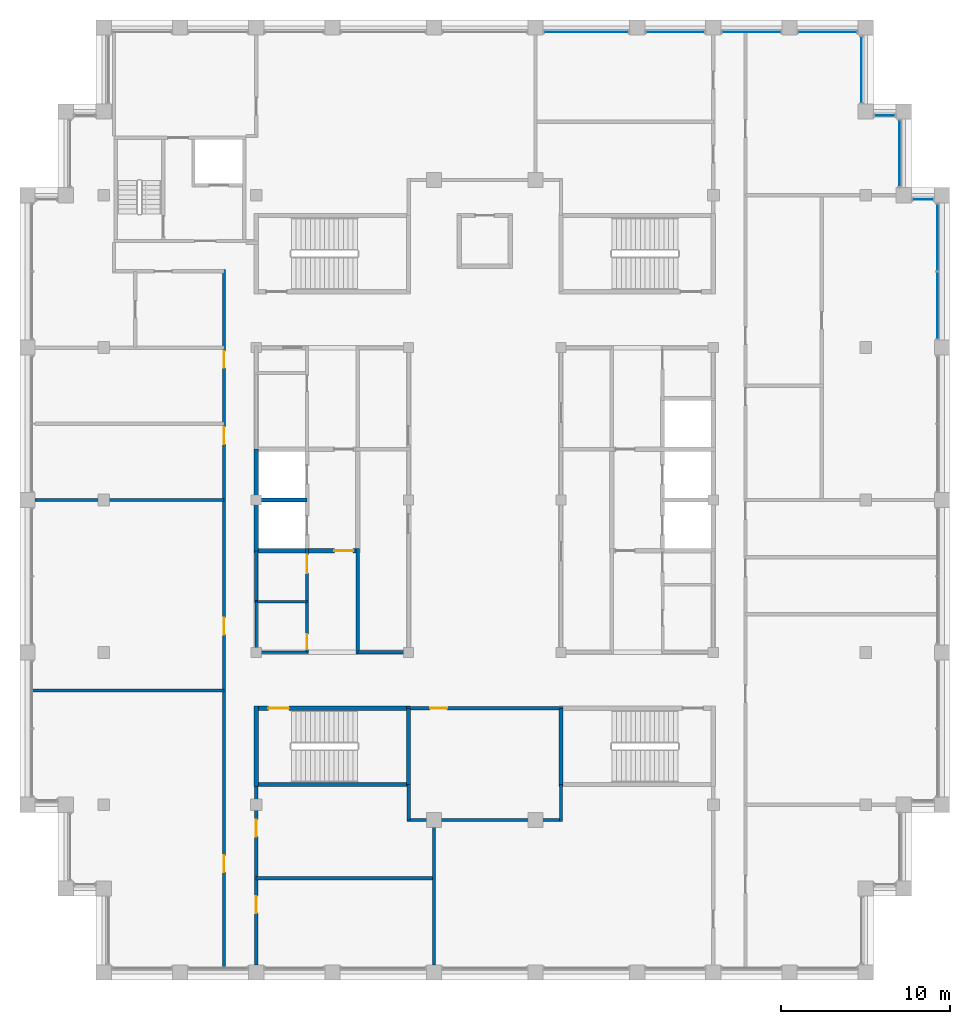
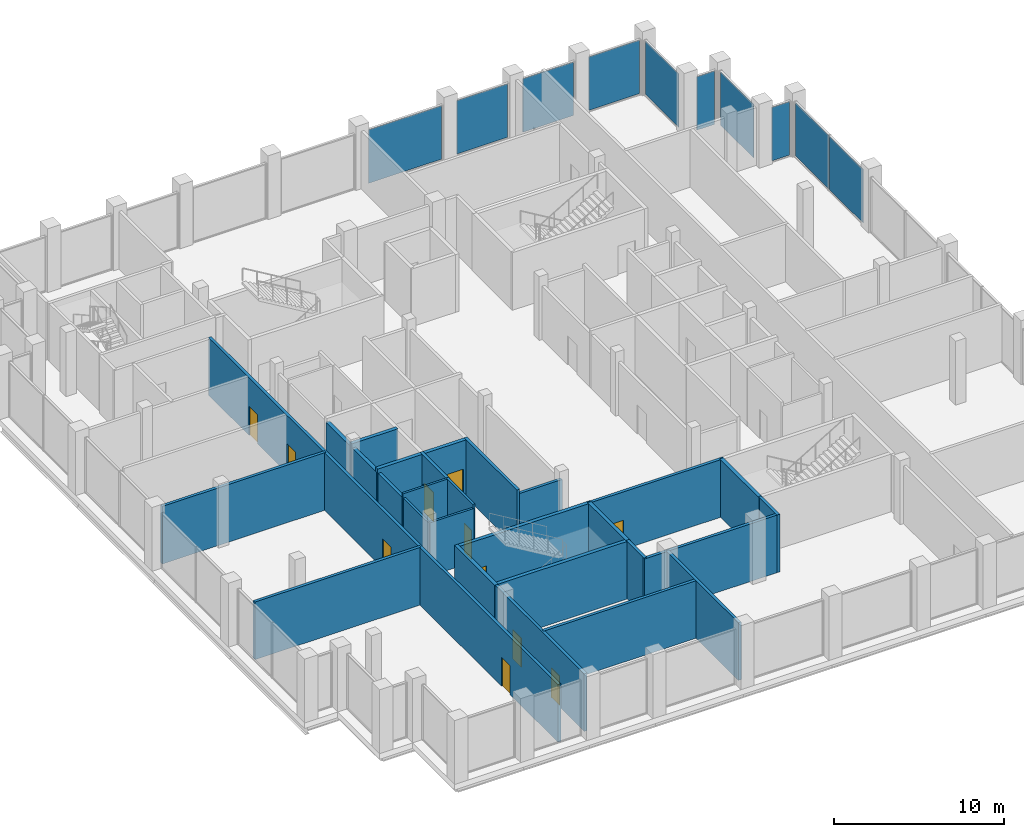
# One storey, part 8 of 13: 26 walls, 11 doors, 10 plates, 11 openings, 9 elements without a shape of their own.
"""IFC4 building model written with IfcOpenShell, lengths in metres."""

from ifc_helpers import new_model, si_unit, direction, frame, frame_2d, origin, origin_2d, place, context, subcontext, project, spatial, rectangle, extrude, material, layer, layer_set, type_object, element, fill, aggregate, save


model = new_model("IFC4")

# Units and contexts
model_context = context("Model", 3, precision=1e-05, world=origin(), true_north=direction((0.0, 1.0)))
body_context = subcontext(model_context, "Body", "Model", "MODEL_VIEW")
ifc_project = project(units=[si_unit("LENGTHUNIT", "METRE"), si_unit("AREAUNIT", "SQUARE_METRE"), si_unit("VOLUMEUNIT", "CUBIC_METRE"), si_unit("PLANEANGLEUNIT", "RADIAN"), si_unit("MASSUNIT", "GRAM", prefix="KILO")], contexts=[model_context])

# Site, building, storey
site_placement = place(None, origin())
site = spatial("IfcSite", under=ifc_project, at=site_placement, CompositionType="ELEMENT")
building_placement = place(site_placement, origin())
building = spatial("IfcBuilding", under=site, at=building_placement, Name="Corbelhall Arena Tower", CompositionType="ELEMENT")
storey_placement = place(building_placement, frame((0.0, 0.0, 361.0)))
storey = spatial("IfcBuildingStorey", under=building, at=storey_placement, Name="L79", CompositionType="ELEMENT", Elevation=361.0)

# Curtain wall, plates
ifc_material_1 = material(Name="Aluminium black anodised", Category="aluminium")
ifc_layer_1 = layer(ifc_material_1, 0.179931640625)
ifc_layer_set_1 = layer_set([ifc_layer_1], Name="EV-CW3 Crown glazing")
curtain_wall_type = type_object("IfcCurtainWallType", Name="EV-CW3 Crown glazing", PredefinedType="NOTDEFINED", material=ifc_layer_set_1)
curtain_wall_1_placement = place(storey_placement, origin())
curtain_wall_1 = element("IfcCurtainWall", 1, at=curtain_wall_1_placement, inside=storey, type_object=curtain_wall_type, Name="Curtain wall CW3", PredefinedType="NOTDEFINED")
ifc_material_2 = material(Name="Glass dark tinted laminated", Category="glass")
ifc_layer_2 = layer(ifc_material_2, 0.028076171875)
ifc_layer_set_2 = layer_set([ifc_layer_2], Name="EV-CW3-PANEL")
plate_type = type_object("IfcPlateType", Name="EV-CW3-PANEL", PredefinedType="CURTAIN_PANEL", material=ifc_layer_set_2)
plate_1_placement = place(storey_placement, frame((26.75, 11.49365234375, 0.074951171875), z_axis=(0.0, 0.0, 1.0), x_axis=(0.0, 1.0, 0.0)))
plate_1 = element("IfcPlate", 2, at=plate_1_placement, type_object=plate_type, Name="CW3 panel 1.1", PredefinedType="CURTAIN_PANEL", context=body_context, shape_type="SweptSolid", body=[
    extrude(rectangle(XDim=3.9375, YDim=0.028076171875, at=origin_2d()), origin(), (0.0, 0.0, 1.0), 3.849609375),
])
plate_2_placement = place(storey_placement, frame((26.75, 15.50634765625, 0.074951171875), z_axis=(0.0, 0.0, 1.0), x_axis=(0.0, 1.0, 0.0)))
plate_2 = element("IfcPlate", 3, at=plate_2_placement, type_object=plate_type, Name="CW3 panel 2.1", PredefinedType="CURTAIN_PANEL", context=body_context, shape_type="SweptSolid", body=[
    extrude(rectangle(XDim=3.9375, YDim=0.028076171875, at=origin_2d()), origin(), (0.0, 0.0, 1.0), 3.849609375),
])
aggregate(curtain_wall_1, [plate_1, plate_2])

# Curtain wall, plate
curtain_wall_2_placement = place(storey_placement, origin())
curtain_wall_2 = element("IfcCurtainWall", 4, at=curtain_wall_2_placement, inside=storey, type_object=curtain_wall_type, Name="Curtain wall CW3B", PredefinedType="NOTDEFINED")
plate_3_placement = place(storey_placement, frame((25.875, 17.75, 0.074951171875), z_axis=(0.0, 0.0, 1.0), x_axis=(-1.0, 0.0, 0.0)))
plate_3 = element("IfcPlate", 5, at=plate_3_placement, type_object=plate_type, Name="CW3B panel 1.1", PredefinedType="CURTAIN_PANEL", context=body_context, shape_type="SweptSolid", body=[
    extrude(rectangle(XDim=1.199951171875, YDim=0.028076171875, at=origin_2d()), origin(), (0.0, 0.0, 1.0), 3.849609375),
])
aggregate(curtain_wall_2, [plate_3])

curtain_wall_3_placement = place(storey_placement, origin())
curtain_wall_3 = element("IfcCurtainWall", 6, at=curtain_wall_3_placement, inside=storey, type_object=curtain_wall_type, Name="Curtain wall CW3", PredefinedType="NOTDEFINED")
plate_4_placement = place(storey_placement, frame((24.5, 20.47509765625, 0.074951171875), z_axis=(0.0, 0.0, 1.0), x_axis=(0.0, 1.0, 0.0)))
plate_4 = element("IfcPlate", 7, at=plate_4_placement, type_object=plate_type, Name="CW3 panel 1.1", PredefinedType="CURTAIN_PANEL", context=body_context, shape_type="SweptSolid", body=[
    extrude(rectangle(XDim=3.89990234375, YDim=0.028076171875, at=origin_2d()), origin(), (0.0, 0.0, 1.0), 3.849609375),
])
aggregate(curtain_wall_3, [plate_4])

curtain_wall_4_placement = place(storey_placement, origin())
curtain_wall_4 = element("IfcCurtainWall", 8, at=curtain_wall_4_placement, inside=storey, type_object=curtain_wall_type, Name="Curtain wall CW3B", PredefinedType="NOTDEFINED")
plate_5_placement = place(storey_placement, frame((23.625, 22.699951171875, 0.074951171875), z_axis=(0.0, 0.0, 1.0), x_axis=(-1.0, 0.0, 0.0)))
plate_5 = element("IfcPlate", 9, at=plate_5_placement, type_object=plate_type, Name="CW3B panel 1.1", PredefinedType="CURTAIN_PANEL", context=body_context, shape_type="SweptSolid", body=[
    extrude(rectangle(XDim=1.199951171875, YDim=0.028076171875, at=origin_2d()), origin(), (0.0, 0.0, 1.0), 3.849609375),
])
aggregate(curtain_wall_4, [plate_5])

curtain_wall_5_placement = place(storey_placement, origin())
curtain_wall_5 = element("IfcCurtainWall", 10, at=curtain_wall_5_placement, inside=storey, type_object=curtain_wall_type, Name="Curtain wall CW3", PredefinedType="NOTDEFINED")
plate_6_placement = place(storey_placement, frame((22.25, 25.425048828125, 0.074951171875), z_axis=(0.0, 0.0, 1.0), x_axis=(0.0, 1.0, 0.0)))
plate_6 = element("IfcPlate", 11, at=plate_6_placement, type_object=plate_type, Name="CW3 panel 1.1", PredefinedType="CURTAIN_PANEL", context=body_context, shape_type="SweptSolid", body=[
    extrude(rectangle(XDim=3.89990234375, YDim=0.028076171875, at=origin_2d()), origin(), (0.0, 0.0, 1.0), 3.849609375),
])
aggregate(curtain_wall_5, [plate_6])

curtain_wall_6_placement = place(storey_placement, origin())
curtain_wall_6 = element("IfcCurtainWall", 12, at=curtain_wall_6_placement, inside=storey, type_object=curtain_wall_type, Name="Curtain wall CW3A", PredefinedType="NOTDEFINED")
plate_7_placement = place(storey_placement, frame((20.25, 27.64990234375, 0.074951171875), z_axis=(0.0, 0.0, 1.0), x_axis=(-1.0, 0.0, 0.0)))
plate_7 = element("IfcPlate", 13, at=plate_7_placement, type_object=plate_type, Name="CW3A panel 1.1", PredefinedType="CURTAIN_PANEL", context=body_context, shape_type="SweptSolid", body=[
    extrude(rectangle(XDim=3.449951171875, YDim=0.028076171875, at=origin_2d()), origin(), (0.0, 0.0, 1.0), 3.849609375),
])
aggregate(curtain_wall_6, [plate_7])

curtain_wall_7_placement = place(storey_placement, origin())
curtain_wall_7 = element("IfcCurtainWall", 14, at=curtain_wall_7_placement, inside=storey, type_object=curtain_wall_type, Name="Curtain wall CW3A", PredefinedType="NOTDEFINED")
plate_8_placement = place(storey_placement, frame((15.75, 27.64990234375, 0.074951171875), z_axis=(0.0, 0.0, 1.0), x_axis=(-1.0, 0.0, 0.0)))
plate_8 = element("IfcPlate", 15, at=plate_8_placement, type_object=plate_type, Name="CW3A panel 1.1", PredefinedType="CURTAIN_PANEL", context=body_context, shape_type="SweptSolid", body=[
    extrude(rectangle(XDim=3.449951171875, YDim=0.028076171875, at=origin_2d()), origin(), (0.0, 0.0, 1.0), 3.849609375),
])
aggregate(curtain_wall_7, [plate_8])

curtain_wall_8_placement = place(storey_placement, origin())
curtain_wall_8 = element("IfcCurtainWall", 16, at=curtain_wall_8_placement, inside=storey, type_object=curtain_wall_type, Name="Curtain wall CW3A", PredefinedType="NOTDEFINED")
plate_9_placement = place(storey_placement, frame((11.25, 27.64990234375, 0.074951171875), z_axis=(0.0, 0.0, 1.0), x_axis=(-1.0, 0.0, 0.0)))
plate_9 = element("IfcPlate", 17, at=plate_9_placement, type_object=plate_type, Name="CW3A panel 1.1", PredefinedType="CURTAIN_PANEL", context=body_context, shape_type="SweptSolid", body=[
    extrude(rectangle(XDim=3.449951171875, YDim=0.028076171875, at=origin_2d()), origin(), (0.0, 0.0, 1.0), 3.849609375),
])
aggregate(curtain_wall_8, [plate_9])

curtain_wall_9_placement = place(storey_placement, origin())
curtain_wall_9 = element("IfcCurtainWall", 18, at=curtain_wall_9_placement, inside=storey, type_object=curtain_wall_type, Name="Curtain wall CW3C", PredefinedType="NOTDEFINED")
plate_10_placement = place(storey_placement, frame((6.0, 27.64990234375, 0.074951171875), z_axis=(0.0, 0.0, 1.0), x_axis=(-1.0, 0.0, 0.0)))
plate_10 = element("IfcPlate", 19, at=plate_10_placement, type_object=plate_type, Name="CW3C panel 1.1", PredefinedType="CURTAIN_PANEL", context=body_context, shape_type="SweptSolid", body=[
    extrude(rectangle(XDim=4.949951171875, YDim=0.028076171875, at=origin_2d()), origin(), (0.0, 0.0, 1.0), 3.849609375),
])
aggregate(curtain_wall_9, [plate_10])

# Wall
ifc_material_3 = material(Name="Gypsum board on steel stud, acoustic", Category="steel")
ifc_layer_3 = layer(ifc_material_3, 0.199951171875)
ifc_layer_set_3 = layer_set([ifc_layer_3], Name="IN-W-DM200")
wall_type_1 = type_object("IfcWallType", Name="IN-W-DM200", PredefinedType="PARTITIONING", material=ifc_layer_set_3)
wall_1_placement = place(storey_placement, frame((-26.736083984375, -11.25, 0.0), z_axis=(0.0, 0.0, 1.0), x_axis=(1.0, 0.0, 0.0)))
element("IfcWall", 20, at=wall_1_placement, inside=storey, type_object=wall_type_1, Name="Partition 001", PredefinedType="PARTITIONING", context=body_context, shape_type="SweptSolid", body=[
    extrude(rectangle(XDim=11.336181640625, YDim=0.199951171875, at=frame_2d((5.66796875, 0.0))), origin(), (0.0, 0.0, 1.0), 4.149658203125),
])

# Wall, openings, doors
wall_2_placement = place(storey_placement, frame((-15.39990234375, -27.635986328125, 0.0), z_axis=(0.0, 0.0, 1.0), x_axis=(0.0, 1.0, 0.0)))
wall_2 = element("IfcWall", 21, at=wall_2_placement, inside=storey, type_object=wall_type_1, Name="Partition 008", PredefinedType="PARTITIONING", context=body_context, shape_type="SweptSolid", body=[
    extrude(rectangle(XDim=41.236083984375, YDim=0.199951171875, at=frame_2d((20.6181640625, 0.0))), origin(), (0.0, 0.0, 1.0), 4.149658203125),
])
opening_1_placement = place(wall_2_placement, frame((30.93603515625, 0.0, 0.0)))
opening_1 = element("IfcOpeningElement", 22, at=opening_1_placement, cuts=wall_2, Name="Opening 33027", PredefinedType="OPENING", context=body_context, shape_type="SweptSolid", body=[
    extrude(rectangle(XDim=1.0, YDim=2.10009765625, at=frame_2d((0.5, 1.050048828125))), frame((0.0, 0.10009765625, 0.0), z_axis=(0.0, -1.0, 0.0), x_axis=(1.0, 0.0, 0.0)), (0.0, 0.0, 1.0), 0.199951171875),
])
opening_2_placement = place(wall_2_placement, frame((35.43603515625, 0.0, 0.0)))
opening_2 = element("IfcOpeningElement", 23, at=opening_2_placement, cuts=wall_2, Name="Opening 33028", PredefinedType="OPENING", context=body_context, shape_type="SweptSolid", body=[
    extrude(rectangle(XDim=1.0, YDim=2.10009765625, at=frame_2d((0.5, 1.050048828125))), frame((0.0, 0.10009765625, 0.0), z_axis=(0.0, -1.0, 0.0), x_axis=(1.0, 0.0, 0.0)), (0.0, 0.0, 1.0), 0.199951171875),
])
opening_3_placement = place(wall_2_placement, frame((5.64990234375, 0.0, 0.0)))
opening_3 = element("IfcOpeningElement", 24, at=opening_3_placement, cuts=wall_2, Name="Opening 33031", PredefinedType="OPENING", context=body_context, shape_type="SweptSolid", body=[
    extrude(rectangle(XDim=1.0, YDim=2.10009765625, at=frame_2d((0.5, 1.050048828125))), frame((0.0, 0.10009765625, 0.0), z_axis=(0.0, -1.0, 0.0), x_axis=(1.0, 0.0, 0.0)), (0.0, 0.0, 1.0), 0.199951171875),
])
opening_4_placement = place(wall_2_placement, frame((19.68603515625, 0.0, 0.0)))
opening_4 = element("IfcOpeningElement", 25, at=opening_4_placement, cuts=wall_2, Name="Opening 33032", PredefinedType="OPENING", context=body_context, shape_type="SweptSolid", body=[
    extrude(rectangle(XDim=1.0, YDim=2.10009765625, at=frame_2d((0.5, 1.050048828125))), frame((0.0, 0.10009765625, 0.0), z_axis=(0.0, -1.0, 0.0), x_axis=(1.0, 0.0, 0.0)), (0.0, 0.0, 1.0), 0.199951171875),
])
ifc_material_4 = material(Name="Steel door set", Category="steel")
door_type_1 = type_object("IfcDoorType", Name="IN-D-SW100", OperationType="NOTDEFINED", PredefinedType="DOOR", material=ifc_material_4)
door_1_placement = place(opening_1_placement, origin())
door_1 = element("IfcDoor", 26, at=door_1_placement, inside=storey, type_object=door_type_1, Name="Door 027", OperationType="SINGLE_SWING_RIGHT", OverallHeight=2.10009765625, OverallWidth=1.0, PredefinedType="DOOR", context=body_context, shape_type="SweptSolid", body=[
    extrude(rectangle(XDim=1.0, YDim=2.10009765625, at=frame_2d((0.5, 1.050048828125))), frame((0.0, 0.02490234375, 0.0), z_axis=(0.0, -1.0, 0.0), x_axis=(1.0, 0.0, 0.0)), (0.0, 0.0, 1.0), 0.050048828125),
])
fill(opening_1, door_1)
door_2_placement = place(opening_2_placement, origin())
door_2 = element("IfcDoor", 27, at=door_2_placement, inside=storey, type_object=door_type_1, Name="Door 028", OperationType="SINGLE_SWING_LEFT", OverallHeight=2.10009765625, OverallWidth=1.0, PredefinedType="DOOR", context=body_context, shape_type="SweptSolid", body=[
    extrude(rectangle(XDim=1.0, YDim=2.10009765625, at=frame_2d((0.5, 1.050048828125))), frame((0.0, 0.02490234375, 0.0), z_axis=(0.0, -1.0, 0.0), x_axis=(1.0, 0.0, 0.0)), (0.0, 0.0, 1.0), 0.050048828125),
])
fill(opening_2, door_2)
door_3_placement = place(opening_3_placement, origin())
door_3 = element("IfcDoor", 28, at=door_3_placement, inside=storey, type_object=door_type_1, Name="Door 031", OperationType="SINGLE_SWING_RIGHT", OverallHeight=2.10009765625, OverallWidth=1.0, PredefinedType="DOOR", context=body_context, shape_type="SweptSolid", body=[
    extrude(rectangle(XDim=1.0, YDim=2.10009765625, at=frame_2d((0.5, 1.050048828125))), frame((0.0, 0.02490234375, 0.0), z_axis=(0.0, -1.0, 0.0), x_axis=(1.0, 0.0, 0.0)), (0.0, 0.0, 1.0), 0.050048828125),
])
fill(opening_3, door_3)
door_4_placement = place(opening_4_placement, origin())
door_4 = element("IfcDoor", 29, at=door_4_placement, inside=storey, type_object=door_type_1, Name="Door 032", OperationType="SINGLE_SWING_LEFT", OverallHeight=2.10009765625, OverallWidth=1.0, PredefinedType="DOOR", context=body_context, shape_type="SweptSolid", body=[
    extrude(rectangle(XDim=1.0, YDim=2.10009765625, at=frame_2d((0.5, 1.050048828125))), frame((0.0, 0.02490234375, 0.0), z_axis=(0.0, -1.0, 0.0), x_axis=(1.0, 0.0, 0.0)), (0.0, 0.0, 1.0), 0.050048828125),
])
fill(opening_4, door_4)

# Walls
wall_3_placement = place(storey_placement, frame((-15.39990234375, 0.0, 0.0), z_axis=(0.0, 0.0, 1.0), x_axis=(-1.0, 0.0, 0.0)))
element("IfcWall", 30, at=wall_3_placement, inside=storey, type_object=wall_type_1, Name="Partition 009", PredefinedType="PARTITIONING", context=body_context, shape_type="SweptSolid", body=[
    extrude(rectangle(XDim=11.150146484375, YDim=0.199951171875, at=frame_2d((5.5751953125, 0.0))), origin(), (0.0, 0.0, 1.0), 4.149658203125),
])
wall_4_placement = place(storey_placement, frame((-13.5, -22.35009765625, 0.0), z_axis=(0.0, 0.0, 1.0), x_axis=(1.0, 0.0, 0.0)))
element("IfcWall", 31, at=wall_4_placement, inside=storey, type_object=wall_type_1, Name="Partition 011", PredefinedType="PARTITIONING", context=body_context, shape_type="SweptSolid", body=[
    extrude(rectangle(XDim=10.60009765625, YDim=0.199951171875, at=frame_2d((5.300048828125, 0.0))), origin(), (0.0, 0.0, 1.0), 4.149658203125),
])

# Wall, openings, doors
wall_5_placement = place(storey_placement, frame((-13.5, -16.675048828125, 0.0), z_axis=(0.0, 0.0, 1.0), x_axis=(0.0, -1.0, 0.0)))
wall_5 = element("IfcWall", 32, at=wall_5_placement, inside=storey, type_object=wall_type_1, Name="Partition 012", PredefinedType="PARTITIONING", context=body_context, shape_type="SweptSolid", body=[
    extrude(rectangle(XDim=10.77490234375, YDim=0.199951171875, at=frame_2d((5.387451171875, 0.0))), origin(), (0.0, 0.0, 1.0), 4.149658203125),
])
opening_5_placement = place(wall_5_placement, frame((6.72509765625, 0.0, 0.0)))
opening_5 = element("IfcOpeningElement", 33, at=opening_5_placement, cuts=wall_5, Name="Opening 33024", PredefinedType="OPENING", context=body_context, shape_type="SweptSolid", body=[
    extrude(rectangle(XDim=1.0, YDim=2.10009765625, at=frame_2d((0.5, 1.050048828125))), frame((0.0, 0.10009765625, 0.0), z_axis=(0.0, -1.0, 0.0), x_axis=(1.0, 0.0, 0.0)), (0.0, 0.0, 1.0), 0.199951171875),
])
opening_6_placement = place(wall_5_placement, frame((2.199951171875, 0.0, 0.0)))
opening_6 = element("IfcOpeningElement", 34, at=opening_6_placement, cuts=wall_5, Name="Opening 33025", PredefinedType="OPENING", context=body_context, shape_type="SweptSolid", body=[
    extrude(rectangle(XDim=1.0, YDim=2.10009765625, at=frame_2d((0.5, 1.050048828125))), frame((0.0, 0.10009765625, 0.0), z_axis=(0.0, -1.0, 0.0), x_axis=(1.0, 0.0, 0.0)), (0.0, 0.0, 1.0), 0.199951171875),
])
door_5_placement = place(opening_5_placement, origin())
door_5 = element("IfcDoor", 35, at=door_5_placement, inside=storey, type_object=door_type_1, Name="Door 024", OperationType="SINGLE_SWING_LEFT", OverallHeight=2.10009765625, OverallWidth=1.0, PredefinedType="DOOR", context=body_context, shape_type="SweptSolid", body=[
    extrude(rectangle(XDim=1.0, YDim=2.10009765625, at=frame_2d((0.5, 1.050048828125))), frame((0.0, 0.02490234375, 0.0), z_axis=(0.0, -1.0, 0.0), x_axis=(1.0, 0.0, 0.0)), (0.0, 0.0, 1.0), 0.050048828125),
])
fill(opening_5, door_5)
door_6_placement = place(opening_6_placement, origin())
door_6 = element("IfcDoor", 36, at=door_6_placement, inside=storey, type_object=door_type_1, Name="Door 025", OperationType="SINGLE_SWING_RIGHT", OverallHeight=2.10009765625, OverallWidth=1.0, PredefinedType="DOOR", context=body_context, shape_type="SweptSolid", body=[
    extrude(rectangle(XDim=1.0, YDim=2.10009765625, at=frame_2d((0.5, 1.050048828125))), frame((0.0, 0.02490234375, 0.0), z_axis=(0.0, -1.0, 0.0), x_axis=(1.0, 0.0, 0.0)), (0.0, 0.0, 1.0), 0.050048828125),
])
fill(opening_6, door_6)

# Walls
wall_6_placement = place(storey_placement, frame((-4.5, -18.89990234375, 0.0), z_axis=(0.0, 0.0, 1.0), x_axis=(0.0, 1.0, 0.0)))
element("IfcWall", 37, at=wall_6_placement, inside=storey, type_object=wall_type_1, Name="Partition 015", PredefinedType="PARTITIONING", context=body_context, shape_type="SweptSolid", body=[
    extrude(rectangle(XDim=2.099853515625, YDim=0.199951171875, at=frame_2d((1.0498046875, 0.0))), origin(), (0.0, 0.0, 1.0), 4.149658203125),
])
wall_7_placement = place(storey_placement, frame((-3.0, -18.89990234375, 0.0), z_axis=(0.0, 0.0, 1.0), x_axis=(0.0, -1.0, 0.0)))
element("IfcWall", 38, at=wall_7_placement, inside=storey, type_object=wall_type_1, Name="Partition 018", PredefinedType="PARTITIONING", context=body_context, shape_type="SweptSolid", body=[
    extrude(rectangle(XDim=8.550048828125, YDim=0.199951171875, at=frame_2d((4.27490234375, 0.0))), origin(), (0.0, 0.0, 1.0), 4.149658203125),
])
wall_8_placement = place(storey_placement, frame((4.5, -18.89990234375, 0.0), z_axis=(0.0, 0.0, 1.0), x_axis=(-1.0, 0.0, 0.0)))
element("IfcWall", 39, at=wall_8_placement, inside=storey, type_object=wall_type_1, Name="Partition 019", PredefinedType="PARTITIONING", context=body_context, shape_type="SweptSolid", body=[
    extrude(rectangle(XDim=9.10009765625, YDim=0.199951171875, at=frame_2d((4.550048828125, 0.0))), origin(), (0.0, 0.0, 1.0), 4.149658203125),
])
wall_9_placement = place(storey_placement, frame((4.5, -16.800048828125, 0.0), z_axis=(0.0, 0.0, 1.0), x_axis=(0.0, -1.0, 0.0)))
element("IfcWall", 40, at=wall_9_placement, inside=storey, type_object=wall_type_1, Name="Partition 022", PredefinedType="PARTITIONING", context=body_context, shape_type="SweptSolid", body=[
    extrude(rectangle(XDim=2.199951171875, YDim=0.199951171875, at=frame_2d((1.10009765625, 0.0))), origin(), (0.0, 0.0, 1.0), 4.149658203125),
])

# Wall, opening, door
wall_10_placement = place(storey_placement, frame((4.625, -12.300048828125, 0.0), z_axis=(0.0, 0.0, 1.0), x_axis=(-1.0, 0.0, 0.0)))
wall_10 = element("IfcWall", 41, at=wall_10_placement, inside=storey, type_object=wall_type_1, Name="Partition 024", PredefinedType="PARTITIONING", context=body_context, shape_type="SweptSolid", body=[
    extrude(rectangle(XDim=9.25, YDim=0.199951171875, at=frame_2d((4.625, 0.0))), origin(), (0.0, 0.0, 1.0), 4.149658203125),
])
opening_7_placement = place(wall_10_placement, frame((6.85009765625, 0.0, 0.0)))
opening_7 = element("IfcOpeningElement", 42, at=opening_7_placement, cuts=wall_10, Name="Opening 33020", PredefinedType="OPENING", context=body_context, shape_type="SweptSolid", body=[
    extrude(rectangle(XDim=1.0, YDim=2.10009765625, at=frame_2d((0.5, 1.050048828125))), frame((0.0, 0.10009765625, 0.0), z_axis=(0.0, -1.0, 0.0), x_axis=(1.0, 0.0, 0.0)), (0.0, 0.0, 1.0), 0.199951171875),
])
door_7_placement = place(opening_7_placement, origin())
door_7 = element("IfcDoor", 43, at=door_7_placement, inside=storey, type_object=door_type_1, Name="Door 020", OperationType="SINGLE_SWING_LEFT", OverallHeight=2.10009765625, OverallWidth=1.0, PredefinedType="DOOR", context=body_context, shape_type="SweptSolid", body=[
    extrude(rectangle(XDim=1.0, YDim=2.10009765625, at=frame_2d((0.5, 1.050048828125))), frame((0.0, 0.02490234375, 0.0), z_axis=(0.0, -1.0, 0.0), x_axis=(1.0, 0.0, 0.0)), (0.0, 0.0, 1.0), 0.050048828125),
])
fill(opening_7, door_7)

ifc_material_5 = material(Name="Concrete block wall", Category="concrete")
ifc_layer_4 = layer(ifc_material_5, 0.199951171875)
ifc_layer_set_4 = layer_set([ifc_layer_4], Name="IN-W-RS200")
wall_type_2 = type_object("IfcWallType", Name="IN-W-RS200", PredefinedType="SOLIDWALL", material=ifc_layer_set_4)
wall_11_placement = place(storey_placement, frame((-10.5, -6.074951171875, 0.0), z_axis=(0.0, 0.0, 1.0), x_axis=(0.0, 1.0, 0.0)))
wall_11 = element("IfcWall", 44, at=wall_11_placement, inside=storey, type_object=wall_type_2, Name="Partition 038", PredefinedType="SOLIDWALL", context=body_context, shape_type="SweptSolid", body=[
    extrude(rectangle(XDim=3.199951171875, YDim=0.199951171875, at=frame_2d((1.60009765625, 0.0))), origin(), (0.0, 0.0, 1.0), 4.149658203125),
])
opening_8_placement = place(wall_11_placement, frame((1.75, 0.0, 0.0)))
opening_8 = element("IfcOpeningElement", 45, at=opening_8_placement, cuts=wall_11, Name="Opening 33006", PredefinedType="OPENING", context=body_context, shape_type="SweptSolid", body=[
    extrude(rectangle(XDim=1.10009765625, YDim=2.10009765625, at=frame_2d((0.550048828125, 1.050048828125))), frame((0.0, 0.10009765625, 0.0), z_axis=(0.0, -1.0, 0.0), x_axis=(1.0, 0.0, 0.0)), (0.0, 0.0, 1.0), 0.199951171875),
])
door_type_2 = type_object("IfcDoorType", Name="IN-D-FD110", OperationType="NOTDEFINED", PredefinedType="DOOR", material=ifc_material_4)
door_8_placement = place(opening_8_placement, origin())
door_8 = element("IfcDoor", 46, at=door_8_placement, inside=storey, type_object=door_type_2, Name="Door 006", OperationType="SINGLE_SWING_LEFT", OverallHeight=2.10009765625, OverallWidth=1.10009765625, PredefinedType="DOOR", context=body_context, shape_type="SweptSolid", body=[
    extrude(rectangle(XDim=1.10009765625, YDim=2.10009765625, at=frame_2d((0.550048828125, 1.050048828125))), frame((0.0, 0.02490234375, 0.0), z_axis=(0.0, -1.0, 0.0), x_axis=(1.0, 0.0, 0.0)), (0.0, 0.0, 1.0), 0.050048828125),
])
fill(opening_8, door_8)

# Walls
wall_12_placement = place(storey_placement, frame((-7.5, -9.10009765625, 0.0), z_axis=(0.0, 0.0, 1.0), x_axis=(0.0, 1.0, 0.0)))
element("IfcWall", 47, at=wall_12_placement, inside=storey, type_object=wall_type_2, Name="Partition 041", PredefinedType="SOLIDWALL", context=body_context, shape_type="SweptSolid", body=[
    extrude(rectangle(XDim=6.22509765625, YDim=0.199951171875, at=frame_2d((3.112548828125, 0.0))), origin(), (0.0, 0.0, 1.0), 4.149658203125),
])
ifc_layer_5 = layer(ifc_material_5, 0.199951171875)
ifc_layer_set_5 = layer_set([ifc_layer_5], Name="IN-W-RS200 under beam 312 mm")
wall_type_3 = type_object("IfcWallType", Name="IN-W-RS200 under beam 312 mm", PredefinedType="SOLIDWALL", material=ifc_layer_set_5)
for number, where, z_axis, x_axis, name in (
    (48, (-13.5, -6.0, 0.0), (0.0, 0.0, 1.0), (0.0, 1.0, 0.0), "Partition 035"),
    (49, (-4.5, -9.0, 0.0), (0.0, 0.0, 1.0), (-1.0, 0.0, 0.0), "Partition 044"),
):
    element("IfcWall", number, at=place(storey_placement, frame(where, z_axis=z_axis, x_axis=x_axis)), inside=storey, type_object=wall_type_3, Name=name, PredefinedType="SOLIDWALL", context=body_context, shape_type="SweptSolid", body=[
        extrude(rectangle(XDim=3.0, YDim=0.199951171875, at=frame_2d((1.5, 0.0))), origin(), (0.0, 0.0, 1.0), 3.837646484375),
    ])
ifc_material_6 = material(Name="Concrete C40/50", Category="concrete")
ifc_layer_6 = layer(ifc_material_6, 0.25)
ifc_layer_set_6 = layer_set([ifc_layer_6], Name="IN-W-SH250")
wall_type_4 = type_object("IfcWallType", Name="IN-W-SH250", PredefinedType="SOLIDWALL", material=ifc_layer_set_6)
wall_13_placement = place(storey_placement, frame((-13.625, 0.0, 0.0), z_axis=(0.0, 0.0, 1.0), x_axis=(1.0, 0.0, 0.0)))
element("IfcWall", 50, at=wall_13_placement, inside=storey, type_object=wall_type_4, Name="Shaft wall 057", PredefinedType="SOLIDWALL", context=body_context, shape_type="SweptSolid", body=[
    extrude(rectangle(XDim=3.125, YDim=0.25, at=frame_2d((1.5625, 0.0))), origin(), (0.0, 0.0, 1.0), 4.149658203125),
])

# Wall, opening, door
wall_14_placement = place(storey_placement, frame((-13.625, -3.0, 0.0), z_axis=(0.0, 0.0, 1.0), x_axis=(1.0, 0.0, 0.0)))
wall_14 = element("IfcWall", 51, at=wall_14_placement, inside=storey, type_object=wall_type_4, Name="Shaft wall 060", PredefinedType="SOLIDWALL", context=body_context, shape_type="SweptSolid", body=[
    extrude(rectangle(XDim=6.125, YDim=0.25, at=frame_2d((3.0625, 0.0))), origin(), (0.0, 0.0, 1.0), 4.149658203125),
])
opening_9_placement = place(wall_14_placement, frame((4.75, 0.0, 0.0)))
opening_9 = element("IfcOpeningElement", 52, at=opening_9_placement, cuts=wall_14, Name="Opening 33003", PredefinedType="OPENING", context=body_context, shape_type="SweptSolid", body=[
    extrude(rectangle(XDim=1.10009765625, YDim=2.10009765625, at=frame_2d((0.550048828125, 1.050048828125))), frame((0.0, 0.125, 0.0), z_axis=(0.0, -1.0, 0.0), x_axis=(1.0, 0.0, 0.0)), (0.0, 0.0, 1.0), 0.25),
])
door_9_placement = place(opening_9_placement, origin())
door_9 = element("IfcDoor", 53, at=door_9_placement, inside=storey, type_object=door_type_2, Name="Door 003", OperationType="SINGLE_SWING_RIGHT", OverallHeight=2.10009765625, OverallWidth=1.10009765625, PredefinedType="DOOR", context=body_context, shape_type="SweptSolid", body=[
    extrude(rectangle(XDim=1.10009765625, YDim=2.10009765625, at=frame_2d((0.550048828125, 1.050048828125))), frame((0.0, 0.02490234375, 0.0), z_axis=(0.0, -1.0, 0.0), x_axis=(1.0, 0.0, 0.0)), (0.0, 0.0, 1.0), 0.050048828125),
])
fill(opening_9, door_9)

# Walls
ifc_layer_7 = layer(ifc_material_6, 0.25)
ifc_layer_set_7 = layer_set([ifc_layer_7], Name="IN-W-SH250 under beam 312 mm")
wall_type_5 = type_object("IfcWallType", Name="IN-W-SH250 under beam 312 mm", PredefinedType="SOLIDWALL", material=ifc_layer_set_7)
wall_15_placement = place(storey_placement, frame((-13.5, -3.0, 0.0), z_axis=(0.0, 0.0, 1.0), x_axis=(0.0, 1.0, 0.0)))
element("IfcWall", 54, at=wall_15_placement, inside=storey, type_object=wall_type_5, Name="Shaft wall 059", PredefinedType="SOLIDWALL", context=body_context, shape_type="SweptSolid", body=[
    extrude(rectangle(XDim=6.0, YDim=0.25, at=frame_2d((3.0, 0.0))), origin(), (0.0, 0.0, 1.0), 3.837646484375),
])
ifc_layer_8 = layer(ifc_material_6, 0.25)
ifc_layer_set_8 = layer_set([ifc_layer_8], Name="IN-W-ST250")
wall_type_6 = type_object("IfcWallType", Name="IN-W-ST250", PredefinedType="SOLIDWALL", material=ifc_layer_set_8)
wall_16_placement = place(storey_placement, frame((-13.5, -12.175048828125, 0.0), z_axis=(0.0, 0.0, 1.0), x_axis=(0.0, -1.0, 0.0)))
element("IfcWall", 55, at=wall_16_placement, inside=storey, type_object=wall_type_6, Name="Shaft wall 074", PredefinedType="SOLIDWALL", context=body_context, shape_type="SweptSolid", body=[
    extrude(rectangle(XDim=4.75, YDim=0.25, at=frame_2d((2.375, 0.0))), origin(), (0.0, 0.0, 1.0), 4.149658203125),
])
wall_17_placement = place(storey_placement, frame((-4.5, -12.300048828125, 0.0), z_axis=(0.0, 0.0, 1.0), x_axis=(0.0, -1.0, 0.0)))
element("IfcWall", 56, at=wall_17_placement, inside=storey, type_object=wall_type_6, Name="Shaft wall 078", PredefinedType="SOLIDWALL", context=body_context, shape_type="SweptSolid", body=[
    extrude(rectangle(XDim=4.625, YDim=0.25, at=frame_2d((2.3125, 0.0))), origin(), (0.0, 0.0, 1.0), 4.149658203125),
])
wall_18_placement = place(storey_placement, frame((-4.39990234375, -16.800048828125, 0.0), z_axis=(0.0, 0.0, 1.0), x_axis=(-1.0, 0.0, 0.0)))
element("IfcWall", 57, at=wall_18_placement, inside=storey, type_object=wall_type_6, Name="Shaft wall 080", PredefinedType="SOLIDWALL", context=body_context, shape_type="SweptSolid", body=[
    extrude(rectangle(XDim=9.10009765625, YDim=0.25, at=frame_2d((4.550048828125, 0.0))), origin(), (0.0, 0.0, 1.0), 4.149658203125),
])

# Wall, opening, door
wall_19_placement = place(storey_placement, frame((-4.375, -12.300048828125, 0.0), z_axis=(0.0, 0.0, 1.0), x_axis=(-1.0, 0.0, 0.0)))
wall_19 = element("IfcWall", 58, at=wall_19_placement, inside=storey, type_object=wall_type_6, Name="Shaft wall 081", PredefinedType="SOLIDWALL", context=body_context, shape_type="SweptSolid", body=[
    extrude(rectangle(XDim=9.125, YDim=0.25, at=frame_2d((4.5625, 0.0))), origin(), (0.0, 0.0, 1.0), 4.149658203125),
])
opening_10_placement = place(wall_19_placement, frame((7.199951171875, 0.0, 0.0)))
opening_10 = element("IfcOpeningElement", 59, at=opening_10_placement, cuts=wall_19, Name="Opening 33017", PredefinedType="OPENING", context=body_context, shape_type="SweptSolid", body=[
    extrude(rectangle(XDim=1.199951171875, YDim=2.10009765625, at=frame_2d((0.60009765625, 1.050048828125))), frame((0.0, 0.125, 0.0), z_axis=(0.0, -1.0, 0.0), x_axis=(1.0, 0.0, 0.0)), (0.0, 0.0, 1.0), 0.25),
])
door_type_3 = type_object("IfcDoorType", Name="IN-D-ST120", OperationType="NOTDEFINED", PredefinedType="DOOR", material=ifc_material_4)
door_10_placement = place(opening_10_placement, origin())
door_10 = element("IfcDoor", 60, at=door_10_placement, inside=storey, type_object=door_type_3, Name="Door 017", OperationType="SINGLE_SWING_RIGHT", OverallHeight=2.10009765625, OverallWidth=1.199951171875, PredefinedType="DOOR", context=body_context, shape_type="SweptSolid", body=[
    extrude(rectangle(XDim=1.199951171875, YDim=2.10009765625, at=frame_2d((0.60009765625, 1.050048828125))), frame((0.0, 0.02490234375, 0.0), z_axis=(0.0, -1.0, 0.0), x_axis=(1.0, 0.0, 0.0)), (0.0, 0.0, 1.0), 0.050048828125),
])
fill(opening_10, door_10)

# Walls
wall_20_placement = place(storey_placement, frame((4.5, -16.925048828125, 0.0), z_axis=(0.0, 0.0, 1.0), x_axis=(0.0, 1.0, 0.0)))
element("IfcWall", 61, at=wall_20_placement, inside=storey, type_object=wall_type_6, Name="Shaft wall 084", PredefinedType="SOLIDWALL", context=body_context, shape_type="SweptSolid", body=[
    extrude(rectangle(XDim=4.625, YDim=0.25, at=frame_2d((2.3125, 0.0))), origin(), (0.0, 0.0, 1.0), 4.149658203125),
])
ifc_material_7 = material(Name="Gypsum board on steel stud, moisture resistant", Category="steel")
ifc_layer_9 = layer(ifc_material_7, 0.14990234375)
ifc_layer_set_9 = layer_set([ifc_layer_9], Name="IN-W-WC150")
wall_type_7 = type_object("IfcWallType", Name="IN-W-WC150", PredefinedType="PARTITIONING", material=ifc_layer_set_9)
wall_21_placement = place(storey_placement, frame((-13.60009765625, -6.0, 0.0), z_axis=(0.0, 0.0, 1.0), x_axis=(1.0, 0.0, 0.0)))
element("IfcWall", 62, at=wall_21_placement, inside=storey, type_object=wall_type_7, Name="Partition 090", PredefinedType="PARTITIONING", context=body_context, shape_type="SweptSolid", body=[
    extrude(rectangle(XDim=3.10009765625, YDim=0.14990234375, at=frame_2d((1.550048828125, 0.0))), origin(), (0.0, 0.0, 1.0), 4.149658203125),
])

# Wall, opening, door
wall_22_placement = place(storey_placement, frame((-10.5, -9.074951171875, 0.0), z_axis=(0.0, 0.0, 1.0), x_axis=(0.0, 1.0, 0.0)))
wall_22 = element("IfcWall", 63, at=wall_22_placement, inside=storey, type_object=wall_type_7, Name="Partition 094", PredefinedType="PARTITIONING", context=body_context, shape_type="SweptSolid", body=[
    extrude(rectangle(XDim=3.14990234375, YDim=0.14990234375, at=frame_2d((1.574951171875, 0.0))), origin(), (0.0, 0.0, 1.0), 4.149658203125),
])
opening_11_placement = place(wall_22_placement, frame((0.25, 0.0, 0.0)))
opening_11 = element("IfcOpeningElement", 64, at=opening_11_placement, cuts=wall_22, Name="Opening 33005", PredefinedType="OPENING", context=body_context, shape_type="SweptSolid", body=[
    extrude(rectangle(XDim=0.89990234375, YDim=2.10009765625, at=frame_2d((0.449951171875, 1.050048828125))), frame((0.0, 0.074951171875, 0.0), z_axis=(0.0, -1.0, 0.0), x_axis=(1.0, 0.0, 0.0)), (0.0, 0.0, 1.0), 0.14990234375),
])
ifc_material_8 = material(Name="Timber door set", Category="wood")
door_type_4 = type_object("IfcDoorType", Name="IN-D-SW90", OperationType="NOTDEFINED", PredefinedType="DOOR", material=ifc_material_8)
door_11_placement = place(opening_11_placement, origin())
door_11 = element("IfcDoor", 65, at=door_11_placement, inside=storey, type_object=door_type_4, Name="Door 005", OperationType="SINGLE_SWING_RIGHT", OverallHeight=2.10009765625, OverallWidth=0.89990234375, PredefinedType="DOOR", context=body_context, shape_type="SweptSolid", body=[
    extrude(rectangle(XDim=0.89990234375, YDim=2.10009765625, at=frame_2d((0.449951171875, 1.050048828125))), frame((0.0, 0.02490234375, 0.0), z_axis=(0.0, -1.0, 0.0), x_axis=(1.0, 0.0, 0.0)), (0.0, 0.0, 1.0), 0.050048828125),
])
fill(opening_11, door_11)

# Walls
ifc_layer_10 = layer(ifc_material_7, 0.14990234375)
ifc_layer_set_10 = layer_set([ifc_layer_10], Name="IN-W-WC150 under beam 312 mm")
wall_type_8 = type_object("IfcWallType", Name="IN-W-WC150 under beam 312 mm", PredefinedType="PARTITIONING", material=ifc_layer_set_10)
wall_23_placement = place(storey_placement, frame((-13.5, -9.074951171875, 0.0), z_axis=(0.0, 0.0, 1.0), x_axis=(0.0, 1.0, 0.0)))
element("IfcWall", 66, at=wall_23_placement, inside=storey, type_object=wall_type_8, Name="Partition 092", PredefinedType="PARTITIONING", context=body_context, shape_type="SweptSolid", body=[
    extrude(rectangle(XDim=3.074951171875, YDim=0.14990234375, at=frame_2d((1.53759765625, 0.0))), origin(), (0.0, 0.0, 1.0), 3.837646484375),
])
wall_24_placement = place(storey_placement, frame((-10.5, -9.0, 0.0), z_axis=(0.0, 0.0, 1.0), x_axis=(-1.0, 0.0, 0.0)))
element("IfcWall", 67, at=wall_24_placement, inside=storey, type_object=wall_type_8, Name="Partition 095", PredefinedType="PARTITIONING", context=body_context, shape_type="SweptSolid", body=[
    extrude(rectangle(XDim=3.0, YDim=0.14990234375, at=frame_2d((1.5, 0.0))), origin(), (0.0, 0.0, 1.0), 3.837646484375),
])

save(model, "model.ifc")
